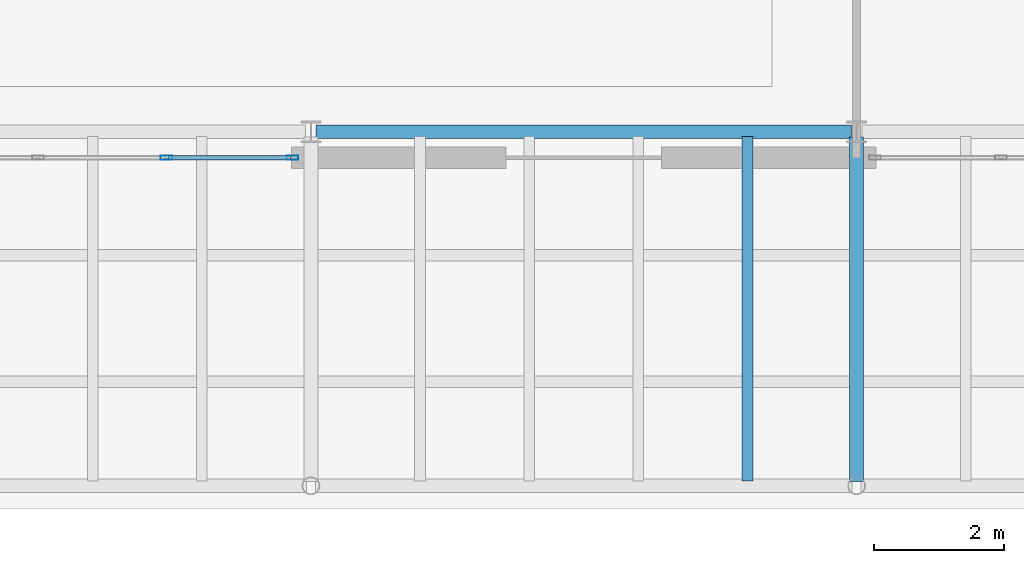
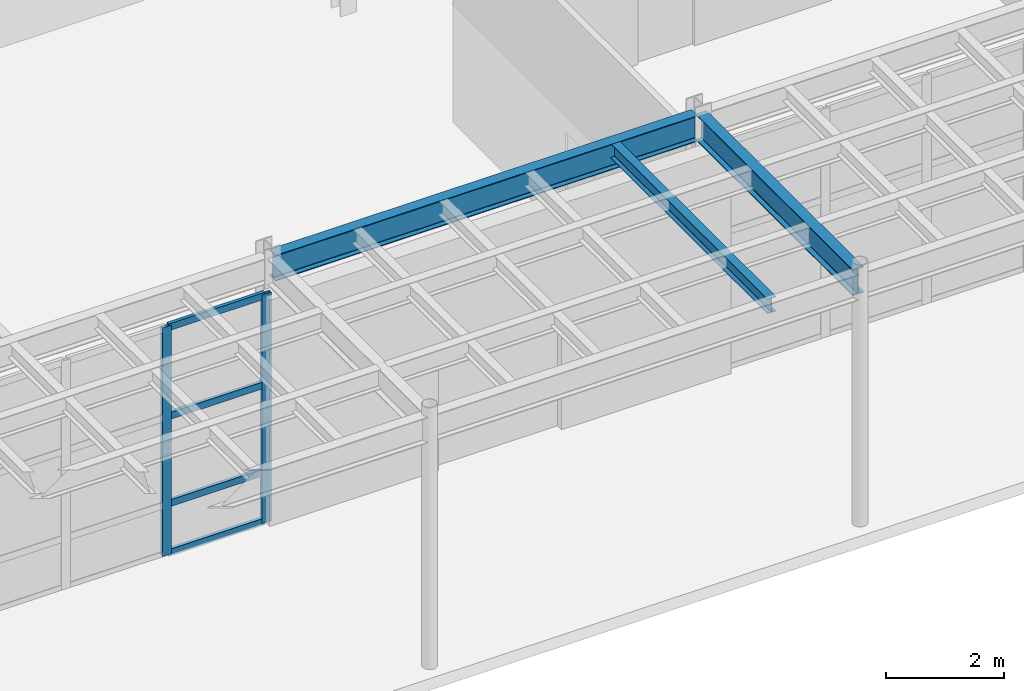
# One storey, part 28 of 87: 6 members, 3 beams, 1 element without a shape of its own.
"""IFC4 building model written with IfcOpenShell, lengths in metres."""

from ifc_helpers import new_model, si_unit, direction, frame, origin, origin_2d, place, context, subcontext, project, spatial, hollow_rectangle, i_section, extrude, material, layer, layer_set, material_profile, profile_set, type_object, element, aggregate, save


model = new_model("IFC4")

# Units and contexts
model_context = context("Model", 3, precision=1e-05, world=origin(), true_north=direction((0.0, 1.0)))
body_context = subcontext(model_context, "Body", "Model", "MODEL_VIEW")
ifc_project = project(units=[si_unit("LENGTHUNIT", "METRE"), si_unit("AREAUNIT", "SQUARE_METRE"), si_unit("VOLUMEUNIT", "CUBIC_METRE"), si_unit("PLANEANGLEUNIT", "RADIAN"), si_unit("MASSUNIT", "GRAM", prefix="KILO")], contexts=[model_context])

# Site, building, storey
site_placement = place(None, origin())
site = spatial("IfcSite", under=ifc_project, at=site_placement, CompositionType="ELEMENT")
building_placement = place(site_placement, origin())
building = spatial("IfcBuilding", under=site, at=building_placement, Name="Selat Folded Stagehouse", CompositionType="ELEMENT")
storey_placement = place(building_placement, origin())
storey = spatial("IfcBuildingStorey", under=building, at=storey_placement, Name="L00", CompositionType="ELEMENT", Elevation=0.0)

# Beams
ifc_material_1 = material(Name="Steel S355", Category="steel")
ifc_material_profile_1 = material_profile(ifc_material_1, i_section(OverallWidth=0.210693359375, OverallDepth=0.53955078125, WebThickness=0.01171875, FlangeThickness=0.018798828125, FilletRadius=0.0126953125, at=origin_2d()), Name="UKB 533x210x109")
ifc_profile_set_1 = profile_set([ifc_material_profile_1], Name="Steel S355")
beam_type_1 = type_object("IfcBeamType", Name="BM-GIRD-533x210x109", PredefinedType="BEAM", material=ifc_profile_set_1)
beam_1_placement = place(storey_placement, frame((58.800048828125, 0.418212890625, 4.940185546875), z_axis=(0.0, 1.0, 0.0), x_axis=(-1.0, 0.0, 0.0)))
element("IfcBeam", 1, at=beam_1_placement, inside=storey, type_object=beam_type_1, Name="L00 primary y-girder 0570", PredefinedType="BEAM", context=body_context, shape_type="SweptSolid", body=[
    extrude(i_section(OverallWidth=0.210693359375, OverallDepth=0.53955078125, WebThickness=0.01171875, FlangeThickness=0.018798828125, FilletRadius=0.0126953125, at=origin_2d()), origin(), (0.0, 0.0, 1.0), 5.3017578125),
])
ifc_material_profile_2 = material_profile(ifc_material_1, i_section(OverallWidth=0.209228515625, OverallDepth=0.533203125, WebThickness=0.010009765625, FlangeThickness=0.015625, FilletRadius=0.0126953125, at=origin_2d()), Name="UKB 533x210x92")
ifc_profile_set_2 = profile_set([ifc_material_profile_2], Name="Steel S355")
beam_type_2 = type_object("IfcBeamType", Name="BM-GIRD-533x210x92", PredefinedType="BEAM", material=ifc_profile_set_2)
beam_2_placement = place(storey_placement, frame((50.47998046875, 5.800048828125, 4.91357421875), z_axis=(1.0, 0.0, 0.0), x_axis=(0.0, 1.0, 0.0)))
element("IfcBeam", 2, at=beam_2_placement, inside=storey, type_object=beam_type_2, Name="L00 primary x-girder 0501", PredefinedType="BEAM", context=body_context, shape_type="SweptSolid", body=[
    extrude(i_section(OverallWidth=0.209228515625, OverallDepth=0.533203125, WebThickness=0.010009765625, FlangeThickness=0.015625, FilletRadius=0.0126953125, at=origin_2d()), origin(), (0.0, 0.0, 1.0), 8.239990234375),
])

# Curtain wall, members
ifc_material_2 = material(Name="Aluminium 6063-T6", Category="aluminium")
ifc_layer = layer(ifc_material_2, 0.2099609375)
ifc_layer_set = layer_set([ifc_layer], Name="Aluminium 6063-T6")
curtain_wall_type = type_object("IfcCurtainWallType", Name="CW-FYR-SOUTH", PredefinedType="NOTDEFINED", material=ifc_layer_set)
curtain_wall_placement = place(storey_placement, origin())
curtain_wall = element("IfcCurtainWall", 3, at=curtain_wall_placement, inside=storey, type_object=curtain_wall_type, Name="L00 curtain wall CW-FYR-L00-01", PredefinedType="NOTDEFINED")
ifc_material_profile_3 = material_profile(ifc_material_2, hollow_rectangle(XDim=0.06494140625, YDim=0.179931640625, WallThickness=0.00390625, at=origin_2d()), Name="ALU 180x65x4.0")
ifc_profile_set_3 = profile_set([ifc_material_profile_3], Name="Aluminium 6063-T6")
member_type_1 = type_object("IfcMemberType", Name="CWM-MUL-180x65", PredefinedType="MULLION", material=ifc_profile_set_3)
member_1_placement = place(storey_placement, frame((50.117431640625, 5.39990234375, 0.0), z_axis=(0.0, 0.0, 1.0), x_axis=(0.0, -1.0, 0.0)))
member_1 = element("IfcMember", 4, at=member_1_placement, type_object=member_type_1, Name="CW-04 mullion 1", PredefinedType="MULLION", context=body_context, shape_type="SweptSolid", body=[
    extrude(hollow_rectangle(XDim=0.06494140625, YDim=0.179931640625, WallThickness=0.00390625, at=origin_2d()), origin(), (0.0, 0.0, 1.0), 4.719970703125),
])
member_2_placement = place(storey_placement, frame((48.175048828125, 5.39990234375, 0.0), z_axis=(0.0, 0.0, 1.0), x_axis=(0.0, -1.0, 0.0)))
member_2 = element("IfcMember", 5, at=member_2_placement, type_object=member_type_1, Name="CW-04 mullion 2", PredefinedType="MULLION", context=body_context, shape_type="SweptSolid", body=[
    extrude(hollow_rectangle(XDim=0.06494140625, YDim=0.179931640625, WallThickness=0.00390625, at=origin_2d()), origin(), (0.0, 0.0, 1.0), 4.719970703125),
])
ifc_material_profile_4 = material_profile(ifc_material_2, hollow_rectangle(XDim=0.06494140625, YDim=0.139892578125, WallThickness=0.00390625, at=origin_2d()), Name="ALU 140x65x4.0")
ifc_profile_set_4 = profile_set([ifc_material_profile_4], Name="Aluminium 6063-T6")
member_type_2 = type_object("IfcMemberType", Name="CWM-TRN-140x65", PredefinedType="USERDEFINED", material=ifc_profile_set_4)
member_3_placement = place(storey_placement, frame((50.0849609375, 5.39990234375, 0.032470703125), z_axis=(-1.0, 0.0, 0.0), x_axis=(0.0, -1.0, 0.0)))
member_3 = element("IfcMember", 6, at=member_3_placement, type_object=member_type_2, Name="CW-04 transom 1.1", ObjectType="TRANSOM", PredefinedType="USERDEFINED", context=body_context, shape_type="SweptSolid", body=[
    extrude(hollow_rectangle(XDim=0.06494140625, YDim=0.139892578125, WallThickness=0.00390625, at=origin_2d()), origin(), (0.0, 0.0, 1.0), 1.87744140625),
])
member_4_placement = place(storey_placement, frame((50.0849609375, 5.39990234375, 1.050048828125), z_axis=(-1.0, 0.0, 0.0), x_axis=(0.0, -1.0, 0.0)))
member_4 = element("IfcMember", 7, at=member_4_placement, type_object=member_type_2, Name="CW-04 transom 1.2", ObjectType="TRANSOM", PredefinedType="USERDEFINED", context=body_context, shape_type="SweptSolid", body=[
    extrude(hollow_rectangle(XDim=0.06494140625, YDim=0.139892578125, WallThickness=0.00390625, at=origin_2d()), origin(), (0.0, 0.0, 1.0), 1.87744140625),
])
member_5_placement = place(storey_placement, frame((50.0849609375, 5.39990234375, 2.85009765625), z_axis=(-1.0, 0.0, 0.0), x_axis=(0.0, -1.0, 0.0)))
member_5 = element("IfcMember", 8, at=member_5_placement, type_object=member_type_2, Name="CW-04 transom 1.3", ObjectType="TRANSOM", PredefinedType="USERDEFINED", context=body_context, shape_type="SweptSolid", body=[
    extrude(hollow_rectangle(XDim=0.06494140625, YDim=0.139892578125, WallThickness=0.00390625, at=origin_2d()), origin(), (0.0, 0.0, 1.0), 1.87744140625),
])
member_6_placement = place(storey_placement, frame((50.0849609375, 5.39990234375, 4.6875), z_axis=(-1.0, 0.0, 0.0), x_axis=(0.0, -1.0, 0.0)))
member_6 = element("IfcMember", 9, at=member_6_placement, type_object=member_type_2, Name="CW-04 transom 1.4", ObjectType="TRANSOM", PredefinedType="USERDEFINED", context=body_context, shape_type="SweptSolid", body=[
    extrude(hollow_rectangle(XDim=0.06494140625, YDim=0.139892578125, WallThickness=0.00390625, at=origin_2d()), origin(), (0.0, 0.0, 1.0), 1.87744140625),
])
aggregate(curtain_wall, [member_1, member_2, member_3, member_4, member_5, member_6])

# Beam
ifc_material_profile_5 = material_profile(ifc_material_1, i_section(OverallWidth=0.1650390625, OverallDepth=0.303466796875, WebThickness=0.006103515625, FlangeThickness=0.01025390625, FilletRadius=0.0087890625, at=origin_2d()), Name="UKB 305x165x40")
ifc_profile_set_5 = profile_set([ifc_material_profile_5], Name="Steel S355")
beam_type_3 = type_object("IfcBeamType", Name="JST-305x165x40", PredefinedType="JOIST", material=ifc_profile_set_5)
beam_3_placement = place(storey_placement, frame((57.1201171875, 0.42333984375, 5.0283203125), z_axis=(0.0, 1.0, 0.0), x_axis=(-1.0, 0.0, 0.0)))
element("IfcBeam", 10, at=beam_3_placement, inside=storey, type_object=beam_type_3, Name="L00 secondary floor joist 0655", PredefinedType="JOIST", context=body_context, shape_type="SweptSolid", body=[
    extrude(i_section(OverallWidth=0.1650390625, OverallDepth=0.303466796875, WebThickness=0.006103515625, FlangeThickness=0.01025390625, FilletRadius=0.0087890625, at=origin_2d()), origin(), (0.0, 0.0, 1.0), 5.303466796875),
])

save(model, "model.ifc")
